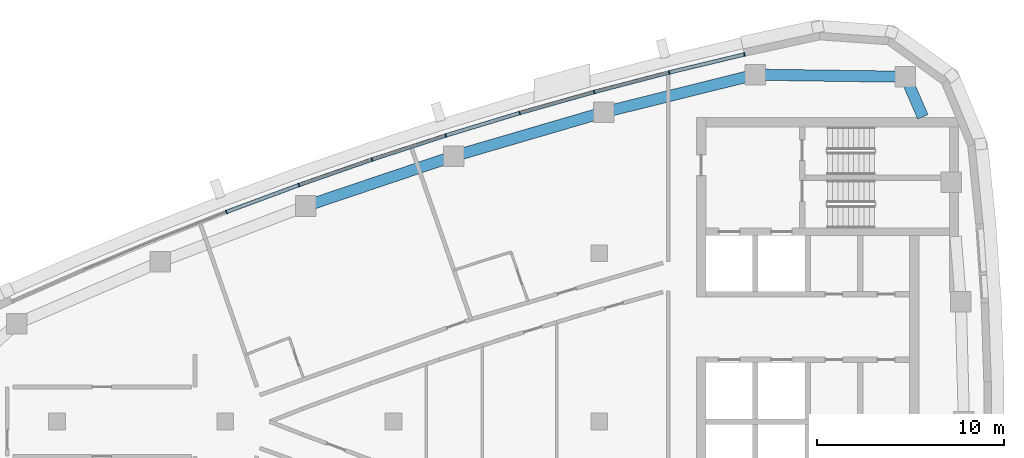
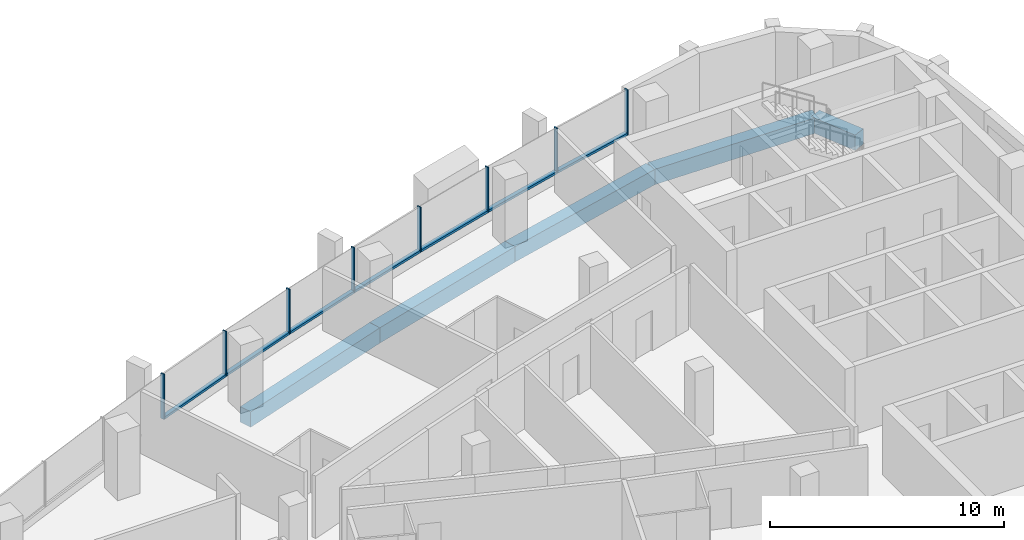
# One storey, part 5 of 14: 15 members, 5 beams, 4 elements without a shape of their own.
"""IFC4 building model written with IfcOpenShell, lengths in metres."""

import ifcopenshell
import ifcopenshell.guid

model = None  # the IFC model being written
_history = None  # IfcOwnerHistory: only IFC2X3 demands one
_inside = {}  # id of a spatial element -> (the spatial element, [elements in it])
_under = {}  # id of a project, library or spatial element -> (it, [spatial elements below it])
_declared = {}  # id of a project -> (the project, [libraries it declares])
_typed = {}  # id of a type object -> (the type object, [elements of that type])
_made_of = {}  # id of a material, layer set ... -> (it, [elements and type objects made of it])


def new_model(schema):
    """Start an empty IFC model of exactly this schema.

    Asked for "IFC4X3", IfcOpenShell would pick the latest addendum, in which some entities
    have other attributes; the version numbers below select the first issue.
    IFC2X3 requires an IfcOwnerHistory on every rooted entity: one is made here for all.
    """
    global model, _history
    if schema == "IFC4X3":
        model = ifcopenshell.file(schema_version=(4, 3, 0, 0))
    else:
        model = ifcopenshell.file(schema=schema)
    _inside.clear()
    _under.clear()
    _declared.clear()
    _typed.clear()
    _made_of.clear()
    _history = None
    if model.schema == "IFC2X3":
        org = make("IfcOrganization", Name="unknown")
        user = make(
            "IfcPersonAndOrganization",
            ThePerson=make("IfcPerson", FamilyName="unknown"),
            TheOrganization=org,
        )
        app = make(
            "IfcApplication",
            ApplicationDeveloper=org,
            Version="unknown",
            ApplicationFullName="unknown",
            ApplicationIdentifier="unknown",
        )
        _history = make(
            "IfcOwnerHistory",
            OwningUser=user,
            OwningApplication=app,
            ChangeAction="ADDED",
            CreationDate=0,
        )
    return model


def make(cls, **values):
    """One entity of the class cls with the attributes given. An attribute that is None is left unset."""
    return model.create_entity(
        cls, **{name: value for name, value in values.items() if value is not None}
    )


def rooted(cls, **values):
    """An entity with a GlobalId (a new one), such as an element, a storey or a relation."""
    return make(cls, GlobalId=ifcopenshell.guid.new(), OwnerHistory=_history, **values)


def si_unit(unit_type, name, prefix=None):
    """IfcSIUnit, for example si_unit("LENGTHUNIT", "METRE", prefix="MILLI")."""
    return make("IfcSIUnit", UnitType=unit_type, Prefix=prefix, Name=name)


def assignment(units):
    """IfcUnitAssignment: the units of a project."""
    return None if units is None else make("IfcUnitAssignment", Units=units)


def point(xyz):
    """IfcCartesianPoint."""
    return None if xyz is None else make("IfcCartesianPoint", Coordinates=xyz)


def direction(xyz):
    """IfcDirection."""
    return None if xyz is None else make("IfcDirection", DirectionRatios=xyz)


def frame(location, z_axis=None, x_axis=None):
    """IfcAxis2Placement3D, a coordinate frame: its origin and axes. An axis left out is left unset."""
    return make(
        "IfcAxis2Placement3D",
        Location=point(location),
        Axis=direction(z_axis),
        RefDirection=direction(x_axis),
    )


def frame_2d(location, x_axis=None):
    """IfcAxis2Placement2D, a coordinate frame in the plane: its origin and x axis."""
    return make(
        "IfcAxis2Placement2D", Location=point(location), RefDirection=direction(x_axis)
    )


def origin():
    """The frame at (0, 0, 0) with its axes left unset."""
    return frame((0.0, 0.0, 0.0))


def origin_2d():
    """The frame at (0, 0) in the plane with its x axis left unset."""
    return frame_2d((0.0, 0.0))


def place(relative_to, where):
    """IfcLocalPlacement: puts the frame where relative to a parent placement (None: the world)."""
    return make(
        "IfcLocalPlacement", PlacementRelTo=relative_to, RelativePlacement=where
    )


def context(
    kind, dimensions, precision=None, world=None, true_north=None, identifier=None
):
    """IfcGeometricRepresentationContext, for example the 3D "Model" context."""
    return make(
        "IfcGeometricRepresentationContext",
        ContextIdentifier=identifier,
        ContextType=kind,
        CoordinateSpaceDimension=dimensions,
        Precision=precision,
        WorldCoordinateSystem=world,
        TrueNorth=true_north,
    )


def subcontext(parent, identifier, kind, view, scale=None):
    """IfcGeometricRepresentationSubContext, for example "Body" below "Model"."""
    return make(
        "IfcGeometricRepresentationSubContext",
        ContextIdentifier=identifier,
        ContextType=kind,
        ParentContext=parent,
        TargetScale=scale,
        TargetView=view,
    )


def project(units=None, contexts=None):
    """IfcProject with its units and contexts."""
    return rooted(
        "IfcProject",
        Name="project",
        RepresentationContexts=contexts,
        UnitsInContext=assignment(units),
    )


def spatial(cls, under=None, at=None, **own):
    """A site, building, storey or space (cls), placed at a placement, below another one or the project."""
    s = rooted(cls, ObjectPlacement=at, **own)
    if under is not None:
        _under.setdefault(under.id(), (under, []))[1].append(s)
    return s


def profile(cls, at=None, kind="AREA", **sizes):
    """A parametric profile (cls). Its sizes go by their IFC names, for example OverallWidth=200.0."""
    return make(cls, ProfileType=kind, Position=at, **sizes)


def rectangle(**sizes):
    """IfcRectangleProfileDef."""
    return profile("IfcRectangleProfileDef", **sizes)


def extrude(swept, where, along, depth):
    """IfcExtrudedAreaSolid: the profile swept, set in the frame where, extruded along a direction by depth."""
    return make(
        "IfcExtrudedAreaSolid",
        SweptArea=swept,
        Position=where,
        ExtrudedDirection=direction(along),
        Depth=depth,
    )


def shape(context_of_items, identifier, shape_type, items):
    """IfcShapeRepresentation: the items that make up one representation, for example the "Body"."""
    return make(
        "IfcShapeRepresentation",
        ContextOfItems=context_of_items,
        RepresentationIdentifier=identifier,
        RepresentationType=shape_type,
        Items=items,
    )


def material(Name=None, Category=None):
    """IfcMaterial."""
    return make("IfcMaterial", Name=Name, Category=Category)


def layer(
    of_material, thickness, ventilated=None, Name=None, Category=None, Priority=None
):
    """IfcMaterialLayer: one layer of a wall or slab, of a material (None: an air gap)."""
    return make(
        "IfcMaterialLayer",
        Material=of_material,
        LayerThickness=thickness,
        IsVentilated=ventilated,
        Name=Name,
        Category=Category,
        Priority=Priority,
    )


def layer_set(layers, Name=None):
    """IfcMaterialLayerSet."""
    return make("IfcMaterialLayerSet", MaterialLayers=layers, LayerSetName=Name)


def material_profile(
    of_material, cross_section, Name=None, Category=None, Priority=None
):
    """IfcMaterialProfile: a cross section and its material."""
    return make(
        "IfcMaterialProfile",
        Name=Name,
        Material=of_material,
        Profile=cross_section,
        Priority=Priority,
        Category=Category,
    )


def profile_set(profiles, Name=None, composite=None):
    """IfcMaterialProfileSet."""
    return make(
        "IfcMaterialProfileSet",
        Name=Name,
        MaterialProfiles=profiles,
        CompositeProfile=composite,
    )


def made_of(thing, what):
    """Note that an element or type object is made of a material, layer set ...; save() writes the relation."""
    if what is not None:
        _made_of.setdefault(what.id(), (what, []))[1].append(thing)
    return thing


def type_object(cls, material=None, **own):
    """A type object (cls), such as IfcWallType, which elements share."""
    return made_of(rooted(cls, **own), material)


def element(
    cls,
    number,
    at=None,
    inside=None,
    cuts=None,
    type_object=None,
    material=None,
    context=None,
    identifier="Body",
    shape_type=None,
    held_by="IfcProductDefinitionShape",
    body=None,
    shapes=None,
    **own,
):
    """One element of the class cls, such as IfcWall. Its Tag is "e" and its number.

    at: its placement. inside: the storey or other place that contains it. cuts: it is an
    opening in that element (IfcRelVoidsElement). A single representation is given by context,
    identifier, shape_type and body (its items); several are given by shapes. held_by: the class
    of the entity that holds the representations. save() writes the other relations.
    """
    e = rooted(cls, Tag="e%d" % number, ObjectPlacement=at, **own)
    if body is not None:
        shapes = [shape(context, identifier, shape_type, body)]
    if shapes is not None:
        e.Representation = make(held_by, Representations=shapes)
    if inside is not None:
        _inside.setdefault(inside.id(), (inside, []))[1].append(e)
    if cuts is not None:
        rooted(
            "IfcRelVoidsElement", RelatingBuildingElement=cuts, RelatedOpeningElement=e
        )
    if type_object is not None:
        _typed.setdefault(type_object.id(), (type_object, []))[1].append(e)
    return made_of(e, material)


def aggregate(whole, parts):
    """IfcRelAggregates: a whole, such as a stair, and the parts it consists of."""
    return rooted("IfcRelAggregates", RelatingObject=whole, RelatedObjects=parts)


def save(model, path):
    """Write the relations noted so far, then the file.

    IfcRelAggregates (storeys below a building ...), IfcRelContainedInSpatialStructure (elements
    in a storey), IfcRelDefinesByType, IfcRelAssociatesMaterial and IfcRelDeclares: one each for
    every whole, place, type object, material and project.
    """
    for whole, parts in _under.values():
        aggregate(whole, parts)
    for where, things in _inside.values():
        rooted(
            "IfcRelContainedInSpatialStructure",
            RelatedElements=things,
            RelatingStructure=where,
        )
    for kind, things in _typed.values():
        rooted("IfcRelDefinesByType", RelatedObjects=things, RelatingType=kind)
    for what, things in _made_of.values():
        rooted("IfcRelAssociatesMaterial", RelatedObjects=things, RelatingMaterial=what)
    for by, libraries in _declared.values():
        rooted("IfcRelDeclares", RelatingContext=by, RelatedDefinitions=libraries)
    model.write(path)


model = new_model("IFC4")

# Units and contexts
model_context = context("Model", 3, precision=1e-05, world=origin(), true_north=direction((0.0, 1.0)))
body_context = subcontext(model_context, "Body", "Model", "MODEL_VIEW")
ifc_project = project(units=[si_unit("LENGTHUNIT", "METRE"), si_unit("AREAUNIT", "SQUARE_METRE"), si_unit("VOLUMEUNIT", "CUBIC_METRE"), si_unit("PLANEANGLEUNIT", "RADIAN"), si_unit("MASSUNIT", "GRAM", prefix="KILO")], contexts=[model_context])

# Site, building, storey
site_placement = place(None, origin())
site = spatial("IfcSite", under=ifc_project, at=site_placement, CompositionType="ELEMENT")
building_placement = place(site_placement, origin())
building = spatial("IfcBuilding", under=site, at=building_placement, Name="Ostrand Prow Hotel Tower", CompositionType="ELEMENT")
storey_placement = place(building_placement, frame((0.0, 0.0, 278.550048828125)))
storey = spatial("IfcBuildingStorey", under=building, at=storey_placement, Name="L70", CompositionType="ELEMENT", Elevation=278.550048828125)

# Beams
ifc_material_1 = material(Name="Concrete C50/60", Category="concrete")
ifc_material_profile_1 = material_profile(ifc_material_1, rectangle(XDim=0.60009765625, YDim=0.800048828125, at=origin_2d()), Name="RC 600x800")
ifc_profile_set_1 = profile_set([ifc_material_profile_1], Name="Concrete C50/60")
beam_type = type_object("IfcBeamType", Name="Edge beam 600x800 C50/60", PredefinedType="SPANDREL", material=ifc_profile_set_1)
beam_1_placement = place(storey_placement, frame((62.304931640625, 16.300048828125, -0.699951171875), z_axis=(-0.398863844187, 0.91701016014, 0.0), x_axis=(-0.91701016014, -0.398863844187, 0.0)))
element("IfcBeam", 1, at=beam_1_placement, inside=storey, type_object=beam_type, Name="Edge beam B5-NE", PredefinedType="SPANDREL", context=body_context, shape_type="SweptSolid", body=[
    extrude(rectangle(XDim=0.60009765625, YDim=0.800048828125, at=origin_2d()), origin(), (0.0, 0.0, 1.0), 2.333251953125),
])
beam_2_placement = place(storey_placement, frame((61.374267578125, 18.439697265625, -0.699951171875), z_axis=(-0.999900689486, 0.014092947356, 0.0), x_axis=(-0.014092947356, -0.999900689486, 0.0)))
element("IfcBeam", 2, at=beam_2_placement, inside=storey, type_object=beam_type, Name="Edge beam NE-N1", PredefinedType="SPANDREL", context=body_context, shape_type="SweptSolid", body=[
    extrude(rectangle(XDim=0.60009765625, YDim=0.800048828125, at=origin_2d()), origin(), (0.0, 0.0, 1.0), 8.0380859375),
])
for number, where, z_axis, x_axis, name in (
    (3, (53.3369140625, 18.552978515625, -0.699951171875), (-0.970456465292, -0.241276291775, 0.0), (0.241276291775, -0.970456465292, 0.0), "Edge beam N1-N2"),
    (4, (45.234619140625, 16.53857421875, -0.699951171875), (-0.959821966031, -0.280609681809, 0.0), (0.280609681809, -0.959821966031, 0.0), "Edge beam N2-N3"),
    (5, (37.22119140625, 14.19580078125, -0.699951171875), (-0.947575089419, -0.319533174981, 0.0), (0.319533174981, -0.947575089419, 0.0), "Edge beam N3-N4"),
):
    element("IfcBeam", number, at=place(storey_placement, frame(where, z_axis=z_axis, x_axis=x_axis)), inside=storey, type_object=beam_type, Name=name, PredefinedType="SPANDREL", context=body_context, shape_type="SweptSolid", body=[
        extrude(rectangle(XDim=0.60009765625, YDim=0.800048828125, at=origin_2d()), origin(), (0.0, 0.0, 1.0), 8.348876953125),
    ])

# Curtain wall, members
ifc_material_2 = material(Name="Insulated glass in bronze anodised frame", Category="glass")
ifc_layer = layer(ifc_material_2, 0.199951171875)
ifc_layer_set = layer_set([ifc_layer], Name="Insulated glass in bronze anodised frame")
curtain_wall_type = type_object("IfcCurtainWallType", Name="Strip curtain wall, fritted glass over bronze spandrel", PredefinedType="NOTDEFINED", material=ifc_layer_set)
curtain_wall_1_placement = place(storey_placement, origin())
curtain_wall_1 = element("IfcCurtainWall", 6, at=curtain_wall_1_placement, inside=storey, type_object=curtain_wall_type, Name="CW1 run CWN1", PredefinedType="NOTDEFINED")
ifc_material_3 = material(Name="Bronze anodised aluminium", Category="aluminium")
ifc_material_profile_2 = material_profile(ifc_material_3, rectangle(XDim=0.199951171875, YDim=0.06005859375, at=origin_2d()), Name="Mullion 60x200 bronze anodised aluminium")
ifc_profile_set_2 = profile_set([ifc_material_profile_2], Name="Bronze anodised aluminium")
member_type_1 = type_object("IfcMemberType", Name="Mullion 60x200 bronze anodised aluminium", PredefinedType="MULLION", material=ifc_profile_set_2)
member_1_placement = place(storey_placement, frame((52.7607421875, 19.634521484375, 0.89990234375), z_axis=(0.0, 0.0, 1.0), x_axis=(0.232746096028, -0.972537533869, 0.0)))
member_1 = element("IfcMember", 7, at=member_1_placement, type_object=member_type_1, Name="CW1 mullion 1", PredefinedType="MULLION", context=body_context, shape_type="SweptSolid", body=[
    extrude(rectangle(XDim=0.199951171875, YDim=0.06005859375, at=origin_2d()), origin(), (0.0, 0.0, 1.0), 2.35009765625),
])
member_2_placement = place(storey_placement, frame((48.734619140625, 18.6708984375, 0.89990234375), z_axis=(0.0, 0.0, 1.0), x_axis=(0.252248384867, -0.967662519855, 0.0)))
member_2 = element("IfcMember", 8, at=member_2_placement, type_object=member_type_1, Name="CW1 mullion 2", PredefinedType="MULLION", context=body_context, shape_type="SweptSolid", body=[
    extrude(rectangle(XDim=0.199951171875, YDim=0.06005859375, at=origin_2d()), origin(), (0.0, 0.0, 1.0), 2.35009765625),
])
member_3_placement = place(storey_placement, frame((44.728515625, 17.626708984375, 0.89990234375), z_axis=(0.0, 0.0, 1.0), x_axis=(0.252248384867, -0.967662519855, 0.0)))
member_3 = element("IfcMember", 9, at=member_3_placement, type_object=member_type_1, Name="CW1 mullion 3", PredefinedType="MULLION", context=body_context, shape_type="SweptSolid", body=[
    extrude(rectangle(XDim=0.199951171875, YDim=0.06005859375, at=origin_2d()), origin(), (0.0, 0.0, 1.0), 2.35009765625),
])

curtain_wall_2_placement = place(storey_placement, origin())
curtain_wall_2 = element("IfcCurtainWall", 10, at=curtain_wall_2_placement, inside=storey, type_object=curtain_wall_type, Name="CW1 run CWN2", PredefinedType="NOTDEFINED")
member_4_placement = place(storey_placement, frame((40.744384765625, 16.502197265625, 0.89990234375), z_axis=(0.0, 0.0, 1.0), x_axis=(0.290937648411, -0.956742015769, 0.0)))
member_4 = element("IfcMember", 11, at=member_4_placement, type_object=member_type_1, Name="CW1 mullion 2", PredefinedType="MULLION", context=body_context, shape_type="SweptSolid", body=[
    extrude(rectangle(XDim=0.199951171875, YDim=0.06005859375, at=origin_2d()), origin(), (0.0, 0.0, 1.0), 2.35009765625),
])
member_5_placement = place(storey_placement, frame((36.78369140625, 15.297607421875, 0.89990234375), z_axis=(0.0, 0.0, 1.0), x_axis=(0.290937648411, -0.956742015769, 0.0)))
member_5 = element("IfcMember", 12, at=member_5_placement, type_object=member_type_1, Name="CW1 mullion 3", PredefinedType="MULLION", context=body_context, shape_type="SweptSolid", body=[
    extrude(rectangle(XDim=0.199951171875, YDim=0.06005859375, at=origin_2d()), origin(), (0.0, 0.0, 1.0), 2.35009765625),
])

curtain_wall_3_placement = place(storey_placement, origin())
curtain_wall_3 = element("IfcCurtainWall", 13, at=curtain_wall_3_placement, inside=storey, type_object=curtain_wall_type, Name="CW1 run CWN3", PredefinedType="NOTDEFINED")
member_6_placement = place(storey_placement, frame((32.84814453125, 14.013916015625, 0.89990234375), z_axis=(0.0, 0.0, 1.0), x_axis=(0.329158370885, -0.944274730614, 0.0)))
member_6 = element("IfcMember", 14, at=member_6_placement, type_object=member_type_1, Name="CW1 mullion 2", PredefinedType="MULLION", context=body_context, shape_type="SweptSolid", body=[
    extrude(rectangle(XDim=0.199951171875, YDim=0.06005859375, at=origin_2d()), origin(), (0.0, 0.0, 1.0), 2.35009765625),
])
member_7_placement = place(storey_placement, frame((28.93896484375, 12.6513671875, 0.89990234375), z_axis=(0.0, 0.0, 1.0), x_axis=(0.329158370885, -0.944274730614, 0.0)))
member_7 = element("IfcMember", 15, at=member_7_placement, type_object=member_type_1, Name="CW1 mullion 3", PredefinedType="MULLION", context=body_context, shape_type="SweptSolid", body=[
    extrude(rectangle(XDim=0.199951171875, YDim=0.06005859375, at=origin_2d()), origin(), (0.0, 0.0, 1.0), 2.35009765625),
])

# Curtain wall, member
curtain_wall_4_placement = place(storey_placement, origin())
curtain_wall_4 = element("IfcCurtainWall", 16, at=curtain_wall_4_placement, inside=storey, type_object=curtain_wall_type, Name="CW1 run CWN4", PredefinedType="NOTDEFINED")
member_8_placement = place(storey_placement, frame((25.05810546875, 11.210205078125, 0.89990234375), z_axis=(0.0, 0.0, 1.0), x_axis=(0.366845465248, -0.930281895249, 0.0)))
member_8 = element("IfcMember", 17, at=member_8_placement, type_object=member_type_1, Name="CW1 mullion 2", PredefinedType="MULLION", context=body_context, shape_type="SweptSolid", body=[
    extrude(rectangle(XDim=0.199951171875, YDim=0.06005859375, at=origin_2d()), origin(), (0.0, 0.0, 1.0), 2.35009765625),
])

# Member
ifc_material_4 = material(Name="Bronze anodised aluminium", Category="aluminium")
ifc_material_profile_3 = material_profile(ifc_material_4, rectangle(XDim=0.199951171875, YDim=0.1201171875, at=origin_2d()), Name="Transom 120x200 bronze anodised aluminium")
ifc_profile_set_3 = profile_set([ifc_material_profile_3], Name="Bronze anodised aluminium")
member_type_2 = type_object("IfcMemberType", Name="Transom 120x200 bronze anodised aluminium", PredefinedType="USERDEFINED", material=ifc_profile_set_3)
member_9_placement = place(storey_placement, frame((52.7314453125, 19.62744140625, 0.9599609375), z_axis=(-0.972542980558, -0.232723335675, 0.0), x_axis=(0.232723335675, -0.972542980558, 0.0)))
member_9 = element("IfcMember", 18, at=member_9_placement, type_object=member_type_2, Name="CW1 transom 1.1", ObjectType="TRANSOM", PredefinedType="USERDEFINED", context=body_context, shape_type="SweptSolid", body=[
    extrude(rectangle(XDim=0.199951171875, YDim=0.1201171875, at=origin_2d()), origin(), (0.0, 0.0, 1.0), 4.079833984375),
])

member_10_placement = place(storey_placement, frame((48.70556640625, 18.663330078125, 0.9599609375), z_axis=(-0.967664917891, -0.252239185461, 0.0), x_axis=(0.252239185461, -0.967664917891, 0.0)))
member_10 = element("IfcMember", 19, at=member_10_placement, type_object=member_type_2, Name="CW1 transom 2.1", ObjectType="TRANSOM", PredefinedType="USERDEFINED", context=body_context, shape_type="SweptSolid", body=[
    extrude(rectangle(XDim=0.199951171875, YDim=0.1201171875, at=origin_2d()), origin(), (0.0, 0.0, 1.0), 4.07958984375),
])

aggregate(curtain_wall_1, [member_1, member_2, member_3, member_9, member_10])

member_11_placement = place(storey_placement, frame((44.69970703125, 17.61865234375, 0.9599609375), z_axis=(-0.962386308628, -0.271684730828, 0.0), x_axis=(0.271684730828, -0.962386308628, 0.0)))
member_11 = element("IfcMember", 20, at=member_11_placement, type_object=member_type_2, Name="CW1 transom 1.1", ObjectType="TRANSOM", PredefinedType="USERDEFINED", context=body_context, shape_type="SweptSolid", body=[
    extrude(rectangle(XDim=0.199951171875, YDim=0.1201171875, at=origin_2d()), origin(), (0.0, 0.0, 1.0), 4.079833984375),
])

member_12_placement = place(storey_placement, frame((40.7158203125, 16.493408203125, 0.9599609375), z_axis=(-0.956739081124, -0.290947298751, 0.0), x_axis=(0.290947298751, -0.956739081124, 0.0)))
member_12 = element("IfcMember", 21, at=member_12_placement, type_object=member_type_2, Name="CW1 transom 2.1", ObjectType="TRANSOM", PredefinedType="USERDEFINED", context=body_context, shape_type="SweptSolid", body=[
    extrude(rectangle(XDim=0.199951171875, YDim=0.1201171875, at=origin_2d()), origin(), (0.0, 0.0, 1.0), 4.079833984375),
])

aggregate(curtain_wall_2, [member_4, member_5, member_11, member_12])

member_13_placement = place(storey_placement, frame((36.75537109375, 15.288330078125, 0.9599609375), z_axis=(-0.950704145978, -0.310099382165, 0.0), x_axis=(0.310099382165, -0.950704145978, 0.0)))
member_13 = element("IfcMember", 22, at=member_13_placement, type_object=member_type_2, Name="CW1 transom 1.1", ObjectType="TRANSOM", PredefinedType="USERDEFINED", context=body_context, shape_type="SweptSolid", body=[
    extrude(rectangle(XDim=0.199951171875, YDim=0.1201171875, at=origin_2d()), origin(), (0.0, 0.0, 1.0), 4.079833984375),
])

member_14_placement = place(storey_placement, frame((32.81982421875, 14.004150390625, 0.9599609375), z_axis=(-0.944268108385, -0.329177367822, 0.0), x_axis=(0.329177367822, -0.944268108385, 0.0)))
member_14 = element("IfcMember", 23, at=member_14_placement, type_object=member_type_2, Name="CW1 transom 2.1", ObjectType="TRANSOM", PredefinedType="USERDEFINED", context=body_context, shape_type="SweptSolid", body=[
    extrude(rectangle(XDim=0.199951171875, YDim=0.1201171875, at=origin_2d()), origin(), (0.0, 0.0, 1.0), 4.079833984375),
])

aggregate(curtain_wall_3, [member_6, member_7, member_13, member_14])

member_15_placement = place(storey_placement, frame((28.910888671875, 12.640869140625, 0.9599609375), z_axis=(-0.937460424566, -0.348091873465, 0.0), x_axis=(0.348091873465, -0.937460424566, 0.0)))
member_15 = element("IfcMember", 24, at=member_15_placement, type_object=member_type_2, Name="CW1 transom 1.1", ObjectType="TRANSOM", PredefinedType="USERDEFINED", context=body_context, shape_type="SweptSolid", body=[
    extrude(rectangle(XDim=0.199951171875, YDim=0.1201171875, at=origin_2d()), origin(), (0.0, 0.0, 1.0), 4.079833984375),
])

aggregate(curtain_wall_4, [member_8, member_15])

save(model, "model.ifc")
